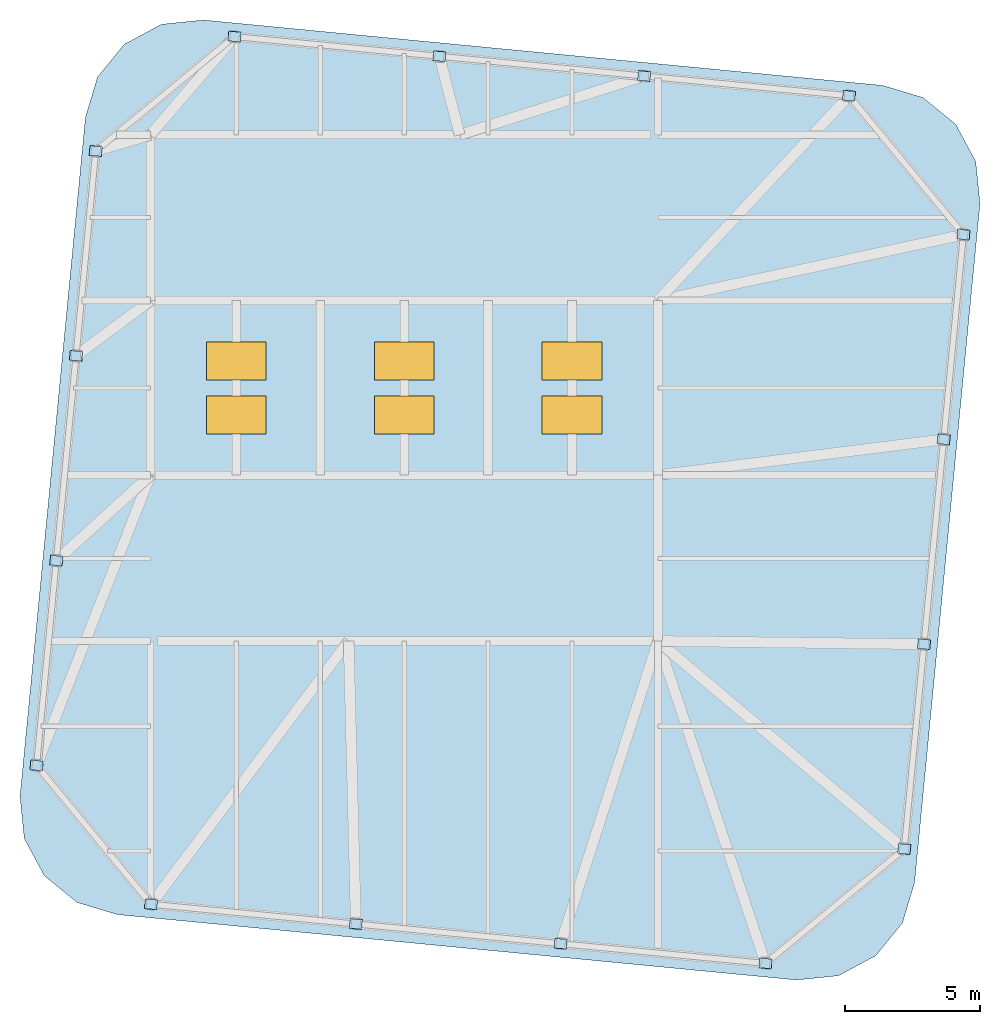
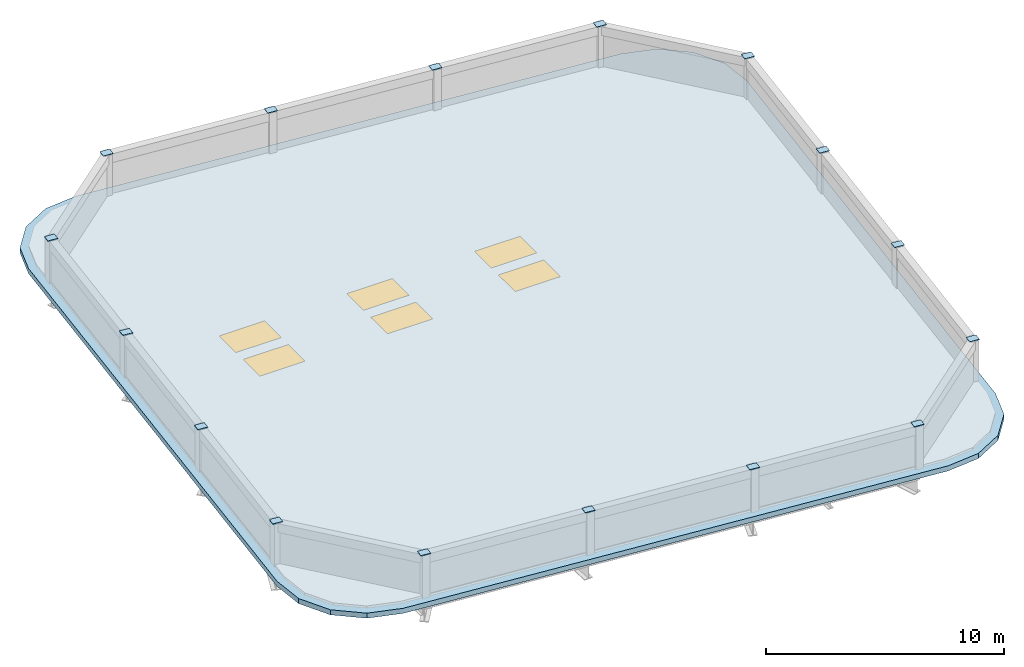
# One storey, part 3 of 4: 16 plates, 6 windows, 1 slab, 6 openings.
"""IFC4 building model written with IfcOpenShell, lengths in metres."""

from ifc_helpers import new_model, si_unit, direction, frame, origin, origin_2d, place, context, subcontext, project, spatial, polyline, rectangle, outline, extrude, material, layer, layer_set, type_object, element, fill, save


model = new_model("IFC4")

# Units and contexts
model_context = context("Model", 3, precision=1e-05, world=origin(), true_north=direction((0.0, 1.0)))
body_context = subcontext(model_context, "Body", "Model", "MODEL_VIEW")
ifc_project = project(units=[si_unit("LENGTHUNIT", "METRE"), si_unit("AREAUNIT", "SQUARE_METRE"), si_unit("VOLUMEUNIT", "CUBIC_METRE"), si_unit("PLANEANGLEUNIT", "RADIAN"), si_unit("MASSUNIT", "GRAM", prefix="KILO")], contexts=[model_context])

# Site, building, storey
site_placement = place(None, origin())
site = spatial("IfcSite", under=ifc_project, at=site_placement, CompositionType="ELEMENT")
building_placement = place(site_placement, origin())
building = spatial("IfcBuilding", under=site, at=building_placement, Name="Qhalaya Broadcast Tower", CompositionType="ELEMENT")
storey_placement = place(building_placement, frame((0.0, 0.0, 296.75)))
storey = spatial("IfcBuildingStorey", under=building, at=storey_placement, Name="Roof", CompositionType="ELEMENT", Elevation=296.75)

# Plates
ifc_material_1 = material(Name="Structural Steel ASTM A572 Grade 50", Category="steel")
ifc_layer_1 = layer(ifc_material_1, 0.360107421875, Name="Structural Steel ASTM A572 Grade 50")
ifc_layer_set_1 = layer_set([ifc_layer_1], Name="Structural Steel ASTM A572 Grade 50")
plate_type = type_object("IfcPlateType", Name="Crown & Strut Hollow End Cap Plate CP-02", PredefinedType="USERDEFINED", material=ifc_layer_set_1)
for number, where, z_axis, x_axis, name in (
    (1, (-9.3505859375, -18.47314453125, 2.18603515625), (0.0, 0.0, 1.0), (0.995396198367, -0.09584575252, 0.0), "Crown Post Top Cap Plate CFC-01"),
    (2, (-1.78564453125, -19.20166015625, 2.18603515625), (0.0, 0.0, 1.0), (0.995396198367, -0.09584575252, 0.0), "Crown Post Top Cap Plate CFC-02"),
    (3, (5.779296875, -19.93017578125, 2.18603515625), (0.0, 0.0, 1.0), (0.995396198367, -0.09584575252, 0.0), "Crown Post Top Cap Plate CFC-03"),
    (4, (13.344482421875, -20.658447265625, 2.18603515625), (0.0, 0.0, 1.0), (0.995396198367, -0.09584575252, 0.0), "Crown Post Top Cap Plate CFC-04"),
    (5, (18.47314453125, -16.4306640625, 2.18603515625), (0.0, 0.0, 1.0), (0.995396198367, -0.09584575252, 0.0), "Crown Post Top Cap Plate CFC-05"),
    (6, (19.20166015625, -8.865478515625, 2.18603515625), (0.0, 0.0, 1.0), (0.995396198367, -0.09584575252, 0.0), "Crown Post Top Cap Plate CFC-06"),
    (7, (19.93017578125, -1.300537109375, 2.18603515625), (0.0, 0.0, 1.0), (0.995396198367, -0.09584575252, 0.0), "Crown Post Top Cap Plate CFC-07"),
    (8, (20.658447265625, 6.264404296875, 2.18603515625), (0.0, 0.0, 1.0), (0.995396198367, -0.09584575252, 0.0), "Crown Post Top Cap Plate CFC-08"),
    (9, (16.4306640625, 11.393310546875, 2.18603515625), (0.0, 0.0, 1.0), (0.995396198367, -0.09584575252, 0.0), "Crown Post Top Cap Plate CFC-09"),
    (10, (8.865478515625, 12.12158203125, 2.18603515625), (0.0, 0.0, 1.0), (0.995396198367, -0.09584575252, 0.0), "Crown Post Top Cap Plate CFC-10"),
    (11, (1.300537109375, 12.85009765625, 2.18603515625), (0.0, 0.0, 1.0), (0.995396198367, -0.09584575252, 0.0), "Crown Post Top Cap Plate CFC-11"),
    (12, (-6.264404296875, 13.57861328125, 2.18603515625), (0.0, 0.0, 1.0), (0.995396198367, -0.09584575252, 0.0), "Crown Post Top Cap Plate CFC-12"),
    (13, (-11.393310546875, 9.3505859375, 2.18603515625), (0.0, 0.0, 1.0), (0.995396198367, -0.09584575252, 0.0), "Crown Post Top Cap Plate CFC-13"),
    (14, (-12.12158203125, 1.78564453125, 2.18603515625), (0.0, 0.0, 1.0), (0.995396198367, -0.09584575252, 0.0), "Crown Post Top Cap Plate CFC-14"),
    (15, (-12.85009765625, -5.779296875, 2.18603515625), (0.0, 0.0, 1.0), (0.995396198367, -0.09584575252, 0.0), "Crown Post Top Cap Plate CFC-15"),
    (16, (-13.57861328125, -13.344482421875, 2.18603515625), (0.0, 0.0, 1.0), (0.995396198367, -0.09584575252, 0.0), "Crown Post Top Cap Plate CFC-16"),
):
    element("IfcPlate", number, at=place(storey_placement, frame(where, z_axis=z_axis, x_axis=x_axis)), inside=storey, type_object=plate_type, Name=name, ObjectType="COVER_PLATE", PredefinedType="USERDEFINED", context=body_context, shape_type="SweptSolid", body=[
        extrude(rectangle(XDim=0.4599609375, YDim=0.360107421875, at=origin_2d()), origin(), (0.0, 0.0, 1.0), 0.028076171875),
    ])

# Slab, openings, windows
ifc_material_2 = material(Name="Concrete C40/50", Category="concrete")
ifc_layer_2 = layer(ifc_material_2, 0.260009765625, Name="Concrete C40/50")
ifc_layer_set_2 = layer_set([ifc_layer_2], Name="Concrete C40/50")
slab_type = type_object("IfcSlabType", Name="Insulated Podium & Crown Roof Slab 260", PredefinedType="ROOF", material=ifc_layer_set_2)
slab_placement = place(storey_placement, frame((0.0, 0.0, -0.260009765625)))
slab = element("IfcSlab", 17, at=slab_placement, inside=storey, type_object=slab_type, Name="Roof Crown Enclosure Roof Slab", PredefinedType="ROOF", context=body_context, shape_type="SweptSolid", body=[
    extrude(outline(polyline([(14.490966796875, -21.271240234375), (16.043701171875, -21.114990234375), (17.418701171875, -20.376220703125), (18.406005859375, -19.16748046875), (18.85595703125, -17.673095703125), (21.271240234375, 7.410888671875), (21.114990234375, 8.9638671875), (20.376220703125, 10.338623046875), (19.16748046875, 11.326171875), (17.673095703125, 11.77587890625), (-7.410888671875, 14.191162109375), (-8.9638671875, 14.034912109375), (-10.338623046875, 13.296142578125), (-11.326171875, 12.08740234375), (-11.77587890625, 10.593017578125), (-14.191162109375, -14.490966796875), (-14.034912109375, -16.043701171875), (-13.296142578125, -17.418701171875), (-12.08740234375, -18.406005859375), (-10.593017578125, -18.85595703125), (14.490966796875, -21.271240234375)])), origin(), (0.0, 0.0, 1.0), 0.260009765625),
])
opening_1_placement = place(slab_placement, frame((-6.199951171875, -0.39990234375, 0.0), z_axis=(0.0, 0.0, 1.0), x_axis=(1.0, 0.0, 0.0)))
opening_1 = element("IfcOpeningElement", 18, at=opening_1_placement, cuts=slab, Name="Opening SK3", PredefinedType="OPENING", context=body_context, shape_type="SweptSolid", body=[
    extrude(rectangle(XDim=2.199951171875, YDim=1.39990234375, at=origin_2d()), origin(), (0.0, 0.0, 1.0), 0.260009765625),
])
opening_2_placement = place(slab_placement, frame((0.0, -0.39990234375, 0.0), z_axis=(0.0, 0.0, 1.0), x_axis=(1.0, 0.0, 0.0)))
opening_2 = element("IfcOpeningElement", 19, at=opening_2_placement, cuts=slab, Name="Opening SK3", PredefinedType="OPENING", context=body_context, shape_type="SweptSolid", body=[
    extrude(rectangle(XDim=2.199951171875, YDim=1.39990234375, at=origin_2d()), origin(), (0.0, 0.0, 1.0), 0.260009765625),
])
opening_3_placement = place(slab_placement, frame((6.199951171875, -0.39990234375, 0.0), z_axis=(0.0, 0.0, 1.0), x_axis=(1.0, 0.0, 0.0)))
opening_3 = element("IfcOpeningElement", 20, at=opening_3_placement, cuts=slab, Name="Opening SK3", PredefinedType="OPENING", context=body_context, shape_type="SweptSolid", body=[
    extrude(rectangle(XDim=2.199951171875, YDim=1.39990234375, at=origin_2d()), origin(), (0.0, 0.0, 1.0), 0.260009765625),
])
opening_4_placement = place(slab_placement, frame((-6.199951171875, 1.60009765625, 0.0), z_axis=(0.0, 0.0, 1.0), x_axis=(1.0, 0.0, 0.0)))
opening_4 = element("IfcOpeningElement", 21, at=opening_4_placement, cuts=slab, Name="Opening SK3", PredefinedType="OPENING", context=body_context, shape_type="SweptSolid", body=[
    extrude(rectangle(XDim=2.199951171875, YDim=1.39990234375, at=origin_2d()), origin(), (0.0, 0.0, 1.0), 0.260009765625),
])
opening_5_placement = place(slab_placement, frame((0.0, 1.60009765625, 0.0), z_axis=(0.0, 0.0, 1.0), x_axis=(1.0, 0.0, 0.0)))
opening_5 = element("IfcOpeningElement", 22, at=opening_5_placement, cuts=slab, Name="Opening SK3", PredefinedType="OPENING", context=body_context, shape_type="SweptSolid", body=[
    extrude(rectangle(XDim=2.199951171875, YDim=1.39990234375, at=origin_2d()), origin(), (0.0, 0.0, 1.0), 0.260009765625),
])
opening_6_placement = place(slab_placement, frame((6.199951171875, 1.60009765625, 0.0), z_axis=(0.0, 0.0, 1.0), x_axis=(1.0, 0.0, 0.0)))
opening_6 = element("IfcOpeningElement", 23, at=opening_6_placement, cuts=slab, Name="Opening SK3", PredefinedType="OPENING", context=body_context, shape_type="SweptSolid", body=[
    extrude(rectangle(XDim=2.199951171875, YDim=1.39990234375, at=origin_2d()), origin(), (0.0, 0.0, 1.0), 0.260009765625),
])
ifc_material_3 = material(Name="Solar-Control Low-E Triple Glazing", Category="glass")
window_type = type_object("IfcWindowType", Name="Crown Canopy Laminated Skylight SK3", PartitioningType="SINGLE_PANEL", PredefinedType="SKYLIGHT", material=ifc_material_3)
window_1_placement = place(opening_1_placement, frame((0.0, 0.0, 0.2099609375)))
window_1 = element("IfcWindow", 24, at=window_1_placement, inside=storey, type_object=window_type, Name="Crown Canopy Skylight SK3-01", OverallHeight=1.39990234375, OverallWidth=2.199951171875, PartitioningType="SINGLE_PANEL", PredefinedType="SKYLIGHT", context=body_context, shape_type="SweptSolid", body=[
    extrude(rectangle(XDim=2.199951171875, YDim=1.39990234375, at=origin_2d()), origin(), (0.0, 0.0, 1.0), 0.050048828125),
])
fill(opening_1, window_1)
window_2_placement = place(opening_2_placement, frame((0.0, 0.0, 0.2099609375)))
window_2 = element("IfcWindow", 25, at=window_2_placement, inside=storey, type_object=window_type, Name="Crown Canopy Skylight SK3-02", OverallHeight=1.39990234375, OverallWidth=2.199951171875, PartitioningType="SINGLE_PANEL", PredefinedType="SKYLIGHT", context=body_context, shape_type="SweptSolid", body=[
    extrude(rectangle(XDim=2.199951171875, YDim=1.39990234375, at=origin_2d()), origin(), (0.0, 0.0, 1.0), 0.050048828125),
])
fill(opening_2, window_2)
window_3_placement = place(opening_3_placement, frame((0.0, 0.0, 0.2099609375)))
window_3 = element("IfcWindow", 26, at=window_3_placement, inside=storey, type_object=window_type, Name="Crown Canopy Skylight SK3-03", OverallHeight=1.39990234375, OverallWidth=2.199951171875, PartitioningType="SINGLE_PANEL", PredefinedType="SKYLIGHT", context=body_context, shape_type="SweptSolid", body=[
    extrude(rectangle(XDim=2.199951171875, YDim=1.39990234375, at=origin_2d()), origin(), (0.0, 0.0, 1.0), 0.050048828125),
])
fill(opening_3, window_3)
window_4_placement = place(opening_4_placement, frame((0.0, 0.0, 0.2099609375)))
window_4 = element("IfcWindow", 27, at=window_4_placement, inside=storey, type_object=window_type, Name="Crown Canopy Skylight SK3-04", OverallHeight=1.39990234375, OverallWidth=2.199951171875, PartitioningType="SINGLE_PANEL", PredefinedType="SKYLIGHT", context=body_context, shape_type="SweptSolid", body=[
    extrude(rectangle(XDim=2.199951171875, YDim=1.39990234375, at=origin_2d()), origin(), (0.0, 0.0, 1.0), 0.050048828125),
])
fill(opening_4, window_4)
window_5_placement = place(opening_5_placement, frame((0.0, 0.0, 0.2099609375)))
window_5 = element("IfcWindow", 28, at=window_5_placement, inside=storey, type_object=window_type, Name="Crown Canopy Skylight SK3-05", OverallHeight=1.39990234375, OverallWidth=2.199951171875, PartitioningType="SINGLE_PANEL", PredefinedType="SKYLIGHT", context=body_context, shape_type="SweptSolid", body=[
    extrude(rectangle(XDim=2.199951171875, YDim=1.39990234375, at=origin_2d()), origin(), (0.0, 0.0, 1.0), 0.050048828125),
])
fill(opening_5, window_5)
window_6_placement = place(opening_6_placement, frame((0.0, 0.0, 0.2099609375)))
window_6 = element("IfcWindow", 29, at=window_6_placement, inside=storey, type_object=window_type, Name="Crown Canopy Skylight SK3-06", OverallHeight=1.39990234375, OverallWidth=2.199951171875, PartitioningType="SINGLE_PANEL", PredefinedType="SKYLIGHT", context=body_context, shape_type="SweptSolid", body=[
    extrude(rectangle(XDim=2.199951171875, YDim=1.39990234375, at=origin_2d()), origin(), (0.0, 0.0, 1.0), 0.050048828125),
])
fill(opening_6, window_6)

save(model, "model.ifc")
